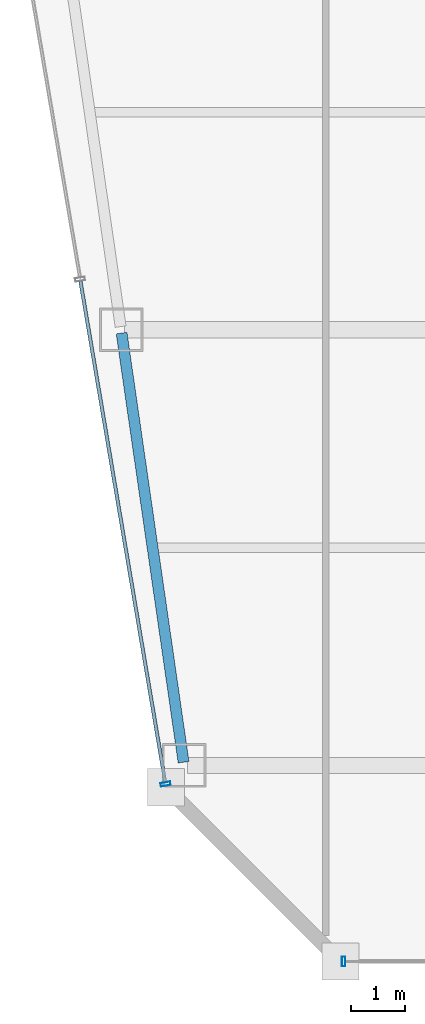
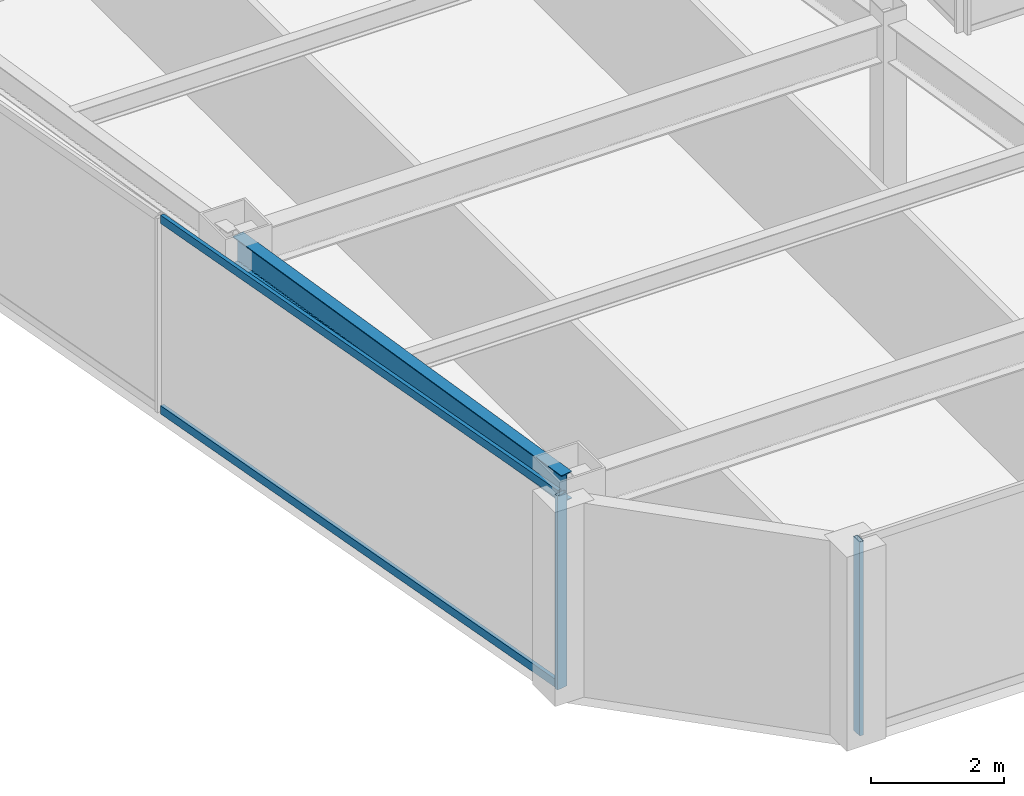
# One storey, part 3 of 36: 4 members, 1 beam, 2 elements without a shape of their own.
"""IFC4 building model written with IfcOpenShell, lengths in metres."""

from ifc_helpers import new_model, si_unit, direction, frame, origin, origin_2d, place, context, subcontext, project, spatial, hollow_rectangle, i_section, extrude, material, material_profile, profile_set, type_object, element, aggregate, save


model = new_model("IFC4")

# Units and contexts
model_context = context("Model", 3, precision=1e-05, world=origin(), true_north=direction((0.0, 1.0)))
body_context = subcontext(model_context, "Body", "Model", "MODEL_VIEW")
ifc_project = project(units=[si_unit("LENGTHUNIT", "METRE"), si_unit("AREAUNIT", "SQUARE_METRE"), si_unit("VOLUMEUNIT", "CUBIC_METRE"), si_unit("PLANEANGLEUNIT", "RADIAN"), si_unit("MASSUNIT", "GRAM", prefix="KILO")], contexts=[model_context])

# Site, building, storey
site_placement = place(None, origin())
site = spatial("IfcSite", under=ifc_project, at=site_placement, CompositionType="ELEMENT")
building_placement = place(site_placement, origin())
building = spatial("IfcBuilding", under=site, at=building_placement, Name="Saevonmaru Cultural Tower", CompositionType="ELEMENT")
storey_placement = place(building_placement, frame((0.0, 0.0, 186.60009765625)))
storey = spatial("IfcBuildingStorey", under=building, at=storey_placement, Name="L42", CompositionType="ELEMENT", Elevation=186.60009765625)

# Beam
ifc_material_1 = material(Name="Steel SM355", Category="steel")
ifc_material_profile_1 = material_profile(ifc_material_1, i_section(OverallWidth=0.199951171875, OverallDepth=0.5, WebThickness=0.010009765625, FlangeThickness=0.01611328125, FilletRadius=0.02001953125, at=origin_2d()), Name="H-500x200x10x16")
ifc_profile_set_1 = profile_set([ifc_material_profile_1], Name="Steel SM355")
beam_type = type_object("IfcBeamType", Name="BM-SP-H500", PredefinedType="SPANDREL", material=ifc_profile_set_1)
beam_placement = place(storey_placement, frame((10.619384765625, 16.059326171875, 3.2998046875), z_axis=(-0.142992129437, 0.989723825579, 0.0), x_axis=(-0.989723825579, -0.142992129437, 0.0)))
element("IfcBeam", 1, at=beam_placement, inside=storey, type_object=beam_type, Name="L42 West Splayed Spandrel 1", PredefinedType="SPANDREL", context=body_context, shape_type="SweptSolid", body=[
    extrude(i_section(OverallWidth=0.199951171875, OverallDepth=0.5, WebThickness=0.010009765625, FlangeThickness=0.01611328125, FilletRadius=0.02001953125, at=origin_2d()), origin(), (0.0, 0.0, 1.0), 7.963134765625),
])

# Curtain wall, member
ifc_material_2 = material(Name="Satin Bronze Anodised Aluminium", Category="aluminium")
curtain_wall_type = type_object("IfcCurtainWallType", Name="CW-TYP-B", PredefinedType="NOTDEFINED", material=ifc_material_2)
curtain_wall_1_placement = place(storey_placement, origin())
curtain_wall_1 = element("IfcCurtainWall", 2, at=curtain_wall_1_placement, inside=storey, type_object=curtain_wall_type, Name="L42 Unitised Curtain Wall E2", PredefinedType="NOTDEFINED")
ifc_material_profile_2 = material_profile(ifc_material_2, hollow_rectangle(XDim=0.06494140625, YDim=0.179931640625, WallThickness=0.00390625, at=origin_2d()), Name="ALU-MULL-180x65x4")
ifc_profile_set_2 = profile_set([ifc_material_profile_2], Name="Satin Bronze Anodised Aluminium")
member_type_1 = type_object("IfcMemberType", Name="ML-CW-180x65", PredefinedType="MULLION", material=ifc_profile_set_2)
member_1_placement = place(storey_placement, frame((13.557861328125, 12.39990234375, 0.0), z_axis=(0.0, 0.0, 1.0), x_axis=(1.0, 0.0, 0.0)))
member_1 = element("IfcMember", 3, at=member_1_placement, type_object=member_type_1, Name="CW-TW-L42-E2 mullion 1", PredefinedType="MULLION", context=body_context, shape_type="SweptSolid", body=[
    extrude(hollow_rectangle(XDim=0.06494140625, YDim=0.179931640625, WallThickness=0.00390625, at=origin_2d()), origin(), (0.0, 0.0, 1.0), 3.5498046875),
])
aggregate(curtain_wall_1, [member_1])

# Curtain wall, members
curtain_wall_2_placement = place(storey_placement, origin())
curtain_wall_2 = element("IfcCurtainWall", 4, at=curtain_wall_2_placement, inside=storey, type_object=curtain_wall_type, Name="L42 Unitised Curtain Wall E12", PredefinedType="NOTDEFINED")
member_2_placement = place(storey_placement, frame((10.287841796875, 15.6591796875, 0.0), z_axis=(0.0, 0.0, 1.0), x_axis=(0.16692169721, -0.985970155228, 0.0)))
member_2 = element("IfcMember", 5, at=member_2_placement, type_object=member_type_1, Name="CW-TW-L42-E12 mullion 5", PredefinedType="MULLION", context=body_context, shape_type="SweptSolid", body=[
    extrude(hollow_rectangle(XDim=0.06494140625, YDim=0.179931640625, WallThickness=0.00390625, at=origin_2d()), origin(), (0.0, 0.0, 1.0), 3.5498046875),
])
ifc_material_profile_3 = material_profile(ifc_material_2, hollow_rectangle(XDim=0.06494140625, YDim=0.14990234375, WallThickness=0.00390625, at=origin_2d()), Name="ALU-TRAN-150x65x4")
ifc_profile_set_3 = profile_set([ifc_material_profile_3], Name="Satin Bronze Anodised Aluminium")
member_type_2 = type_object("IfcMemberType", Name="TR-CW-150x65", PredefinedType="USERDEFINED", material=ifc_profile_set_3)
member_3_placement = place(storey_placement, frame((8.723876953125, 24.8974609375, 0.032470703125), z_axis=(0.166921263871, -0.985970228591, 0.0), x_axis=(0.985970228591, 0.166921263871, 0.0)))
member_3 = element("IfcMember", 6, at=member_3_placement, type_object=member_type_2, Name="CW-TW-L42-E12 transom 4.1", ObjectType="TRANSOM", PredefinedType="USERDEFINED", context=body_context, shape_type="SweptSolid", body=[
    extrude(hollow_rectangle(XDim=0.06494140625, YDim=0.14990234375, WallThickness=0.00390625, at=origin_2d()), origin(), (0.0, 0.0, 1.0), 9.33740234375),
])
member_4_placement = place(storey_placement, frame((8.723876953125, 24.8974609375, 3.517333984375), z_axis=(0.166921263871, -0.985970228591, 0.0), x_axis=(0.985970228591, 0.166921263871, 0.0)))
member_4 = element("IfcMember", 7, at=member_4_placement, type_object=member_type_2, Name="CW-TW-L42-E12 transom 4.2", ObjectType="TRANSOM", PredefinedType="USERDEFINED", context=body_context, shape_type="SweptSolid", body=[
    extrude(hollow_rectangle(XDim=0.06494140625, YDim=0.14990234375, WallThickness=0.00390625, at=origin_2d()), origin(), (0.0, 0.0, 1.0), 9.33740234375),
])
aggregate(curtain_wall_2, [member_2, member_3, member_4])

save(model, "model.ifc")
